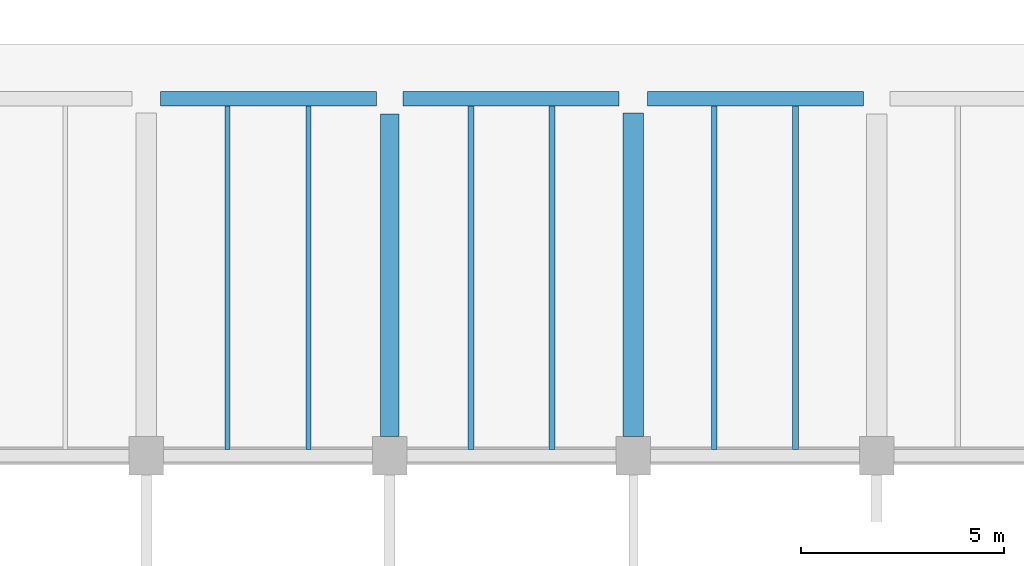
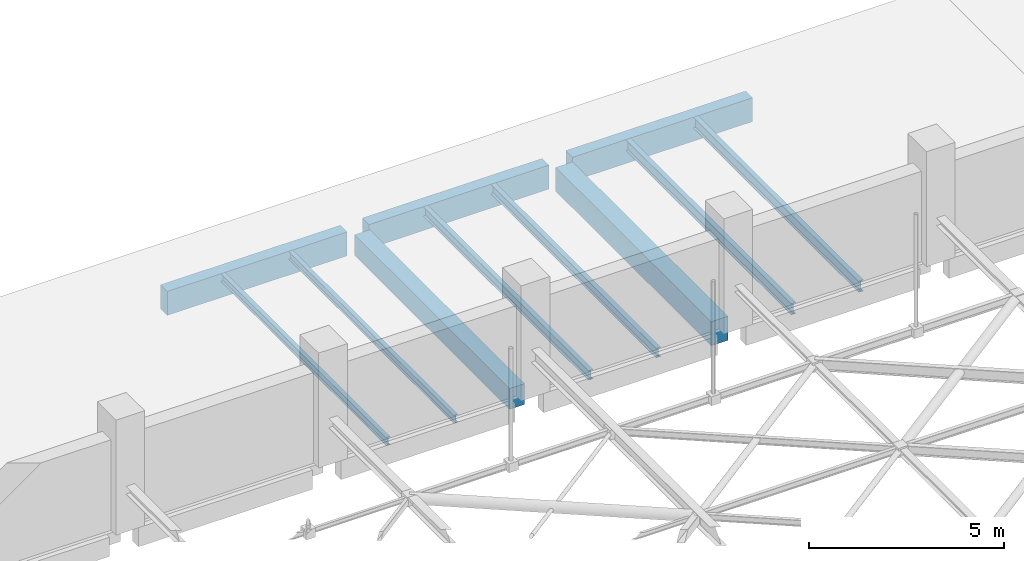
# One storey, part 56 of 93: 11 beams.
"""IFC4 building model written with IfcOpenShell, lengths in metres."""

from ifc_helpers import new_model, si_unit, direction, frame, origin, origin_2d, place, context, subcontext, project, spatial, rectangle, i_section, extrude, material, material_profile, profile_set, type_object, element, save


model = new_model("IFC4")

# Units and contexts
model_context = context("Model", 3, precision=1e-05, world=origin(), true_north=direction((0.0, 1.0)))
body_context = subcontext(model_context, "Body", "Model", "MODEL_VIEW")
ifc_project = project(units=[si_unit("LENGTHUNIT", "METRE"), si_unit("AREAUNIT", "SQUARE_METRE"), si_unit("VOLUMEUNIT", "CUBIC_METRE"), si_unit("PLANEANGLEUNIT", "RADIAN"), si_unit("MASSUNIT", "GRAM", prefix="KILO")], contexts=[model_context])

# Site, building, storey
site_placement = place(None, origin())
site = spatial("IfcSite", under=ifc_project, at=site_placement, CompositionType="ELEMENT")
building_placement = place(site_placement, origin())
building = spatial("IfcBuilding", under=site, at=building_placement, Name="Varnakota Cinema and Media Centre", CompositionType="ELEMENT")
storey_placement = place(building_placement, frame((0.0, 0.0, 12.0)))
storey = spatial("IfcBuildingStorey", under=building, at=storey_placement, Name="L03", CompositionType="ELEMENT", Elevation=12.0)

# Beams
ifc_material_1 = material(Name="Concrete M35", Category="concrete")
ifc_material_profile_1 = material_profile(ifc_material_1, rectangle(XDim=0.449951171875, YDim=0.64990234375, at=origin_2d()), Name="RCB 450x650")
ifc_profile_set_1 = profile_set([ifc_material_profile_1], Name="Concrete M35")
beam_type_1 = type_object("IfcBeamType", Name="BM-RC-450x650", PredefinedType="BEAM", material=ifc_profile_set_1)
beam_1_placement = place(storey_placement, frame((117.0, 35.675048828125, -0.5849609375), z_axis=(0.0, 1.0, 0.0), x_axis=(-1.0, 0.0, 0.0)))
element("IfcBeam", 1, at=beam_1_placement, inside=storey, type_object=beam_type_1, Name="L03 girder S/5-6", PredefinedType="BEAM", context=body_context, shape_type="SweptSolid", body=[
    extrude(rectangle(XDim=0.449951171875, YDim=0.64990234375, at=origin_2d()), origin(), (0.0, 0.0, 1.0), 7.949951171875),
])
ifc_material_2 = material(Name="Concrete M35", Category="concrete")
ifc_material_profile_2 = material_profile(ifc_material_2, rectangle(XDim=0.5, YDim=0.75, at=origin_2d()), Name="RCB 500x750")
ifc_profile_set_2 = profile_set([ifc_material_profile_2], Name="Concrete M35")
beam_type_2 = type_object("IfcBeamType", Name="BM-RC-500x750", PredefinedType="BEAM", material=ifc_profile_set_2)
beam_2_placement = place(storey_placement, frame((123.0, 35.675048828125, -0.635009765625), z_axis=(0.0, 1.0, 0.0), x_axis=(-1.0, 0.0, 0.0)))
element("IfcBeam", 2, at=beam_2_placement, inside=storey, type_object=beam_type_2, Name="L03 girder T/5-6", PredefinedType="BEAM", context=body_context, shape_type="SweptSolid", body=[
    extrude(rectangle(XDim=0.5, YDim=0.75, at=origin_2d()), origin(), (0.0, 0.0, 1.0), 7.974853515625),
])
ifc_material_3 = material(Name="Concrete M40", Category="concrete")
ifc_material_profile_3 = material_profile(ifc_material_3, rectangle(XDim=0.35009765625, YDim=0.75, at=origin_2d()), Name="RCB 350x750")
ifc_profile_set_3 = profile_set([ifc_material_profile_3], Name="Concrete M40")
beam_type_3 = type_object("IfcBeamType", Name="BM-SP-350x750", PredefinedType="SPANDREL", material=ifc_profile_set_3)
for number, where, z_axis, x_axis, name in (
    (3, (111.35009765625, 44.0, -0.635009765625), (1.0, 0.0, 0.0), (0.0, 1.0, 0.0), "L03 girder R-S/6"),
    (4, (117.324951171875, 44.0, -0.635009765625), (1.0, 0.0, 0.0), (0.0, 1.0, 0.0), "L03 girder S-T/6"),
    (5, (123.35009765625, 44.0, -0.635009765625), (1.0, 0.0, 0.0), (0.0, 1.0, 0.0), "L03 girder T-U/6"),
):
    element("IfcBeam", number, at=place(storey_placement, frame(where, z_axis=z_axis, x_axis=x_axis)), inside=storey, type_object=beam_type_3, Name=name, PredefinedType="SPANDREL", context=body_context, shape_type="SweptSolid", body=[
        extrude(rectangle(XDim=0.35009765625, YDim=0.75, at=origin_2d()), origin(), (0.0, 0.0, 1.0), 5.324951171875),
    ])
ifc_material_4 = material(Name="Structural steel Grade 350 (E350)", Category="steel")
ifc_material_profile_4 = material_profile(ifc_material_4, i_section(OverallWidth=0.125, OverallDepth=0.25, WebThickness=0.0068359375, FlangeThickness=0.012451171875, FilletRadius=0.012939453125, at=origin_2d()), Name="ISMB 250")
ifc_profile_set_4 = profile_set([ifc_material_profile_4], Name="Structural steel Grade 350 (E350)")
beam_type_4 = type_object("IfcBeamType", Name="BM-ST-ISMB250", PredefinedType="JOIST", material=ifc_profile_set_4)
for number, where, z_axis, x_axis, name in (
    (6, (113.0, 35.35009765625, -0.385009765625), (0.0, 1.0, 0.0), (-1.0, 0.0, 0.0), "L03 steel joist R-S/5-6 #1"),
    (7, (115.0, 35.35009765625, -0.385009765625), (0.0, 1.0, 0.0), (-1.0, 0.0, 0.0), "L03 steel joist R-S/5-6 #2"),
):
    element("IfcBeam", number, at=place(storey_placement, frame(where, z_axis=z_axis, x_axis=x_axis)), inside=storey, type_object=beam_type_4, Name=name, PredefinedType="JOIST", context=body_context, shape_type="SweptSolid", body=[
        extrude(i_section(OverallWidth=0.125, OverallDepth=0.25, WebThickness=0.0068359375, FlangeThickness=0.012451171875, FilletRadius=0.012939453125, at=origin_2d()), origin(), (0.0, 0.0, 1.0), 8.474853515625),
    ])
ifc_material_5 = material(Name="Structural steel Grade 350 (E350)", Category="steel")
ifc_material_profile_5 = material_profile(ifc_material_5, i_section(OverallWidth=0.139892578125, OverallDepth=0.300048828125, WebThickness=0.0078125, FlangeThickness=0.01318359375, FilletRadius=0.013916015625, at=origin_2d()), Name="ISMB 300")
ifc_profile_set_5 = profile_set([ifc_material_profile_5], Name="Structural steel Grade 350 (E350)")
beam_type_5 = type_object("IfcBeamType", Name="BM-ST-ISMB300", PredefinedType="JOIST", material=ifc_profile_set_5)
for number, where, z_axis, x_axis, name in (
    (8, (119.0, 35.35009765625, -0.409912109375), (0.0, 1.0, 0.0), (-1.0, 0.0, 0.0), "L03 steel joist S-T/5-6 #1"),
    (9, (121.0, 35.35009765625, -0.409912109375), (0.0, 1.0, 0.0), (-1.0, 0.0, 0.0), "L03 steel joist S-T/5-6 #2"),
):
    element("IfcBeam", number, at=place(storey_placement, frame(where, z_axis=z_axis, x_axis=x_axis)), inside=storey, type_object=beam_type_5, Name=name, PredefinedType="JOIST", context=body_context, shape_type="SweptSolid", body=[
        extrude(i_section(OverallWidth=0.139892578125, OverallDepth=0.300048828125, WebThickness=0.0078125, FlangeThickness=0.01318359375, FilletRadius=0.013916015625, at=origin_2d()), origin(), (0.0, 0.0, 1.0), 8.474853515625),
    ])
ifc_material_6 = material(Name="Structural steel Grade 350 (E350)", Category="steel")
ifc_material_profile_6 = material_profile(ifc_material_6, i_section(OverallWidth=0.139892578125, OverallDepth=0.35009765625, WebThickness=0.008056640625, FlangeThickness=0.01416015625, FilletRadius=0.013916015625, at=origin_2d()), Name="ISMB 350")
ifc_profile_set_6 = profile_set([ifc_material_profile_6], Name="Structural steel Grade 350 (E350)")
beam_type_6 = type_object("IfcBeamType", Name="BM-ST-ISMB350", PredefinedType="JOIST", material=ifc_profile_set_6)
for number, where, z_axis, x_axis, name in (
    (10, (125.0, 35.35009765625, -0.43505859375), (0.0, 1.0, 0.0), (-1.0, 0.0, 0.0), "L03 steel joist T-U/5-6 #1"),
    (11, (127.0, 35.35009765625, -0.43505859375), (0.0, 1.0, 0.0), (-1.0, 0.0, 0.0), "L03 steel joist T-U/5-6 #2"),
):
    element("IfcBeam", number, at=place(storey_placement, frame(where, z_axis=z_axis, x_axis=x_axis)), inside=storey, type_object=beam_type_6, Name=name, PredefinedType="JOIST", context=body_context, shape_type="SweptSolid", body=[
        extrude(i_section(OverallWidth=0.139892578125, OverallDepth=0.35009765625, WebThickness=0.008056640625, FlangeThickness=0.01416015625, FilletRadius=0.013916015625, at=origin_2d()), origin(), (0.0, 0.0, 1.0), 8.474853515625),
    ])

save(model, "model.ifc")
